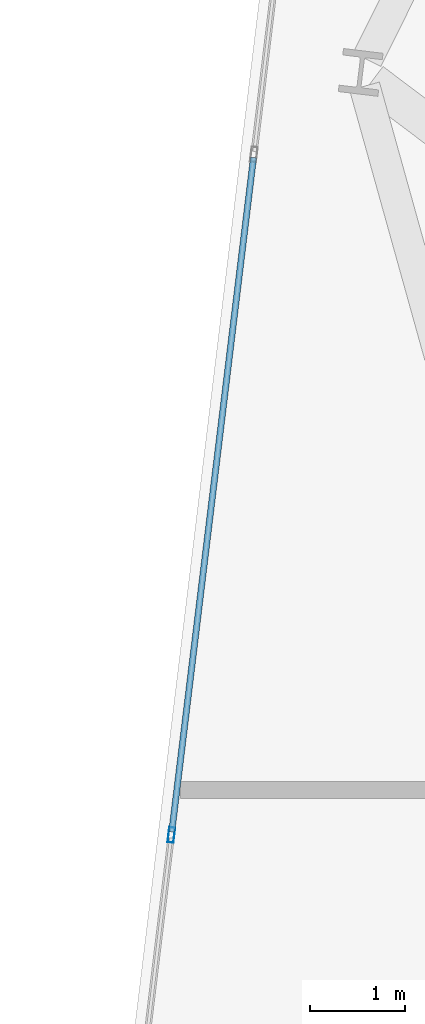
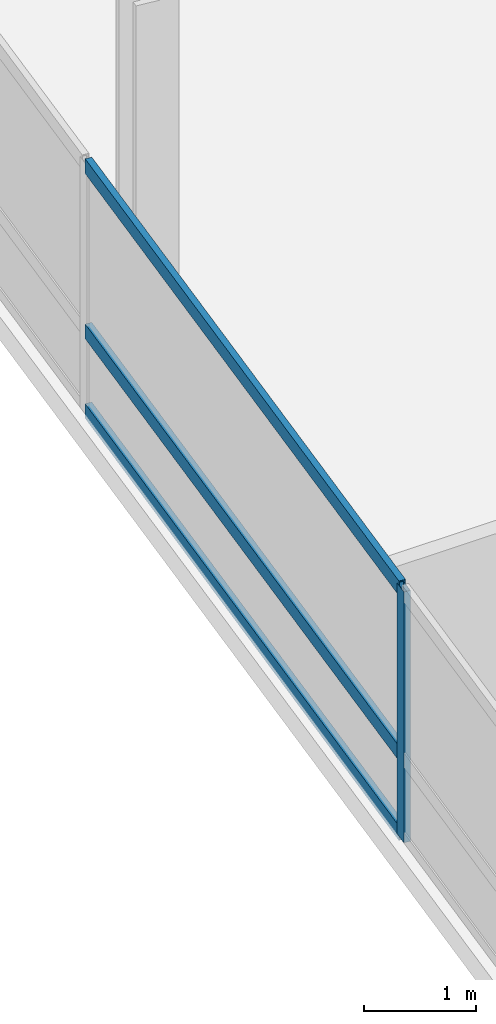
# One storey, part 6 of 26: 4 members, 1 element without a shape of its own.
"""IFC4 building model written with IfcOpenShell, lengths in metres."""

from ifc_helpers import new_model, si_unit, direction, frame, origin, origin_2d, place, context, subcontext, project, spatial, hollow_rectangle, extrude, material, layer, layer_set, material_profile, profile_set, type_object, element, aggregate, save


model = new_model("IFC4")

# Units and contexts
model_context = context("Model", 3, precision=1e-05, world=origin(), true_north=direction((0.0, 1.0)))
body_context = subcontext(model_context, "Body", "Model", "MODEL_VIEW")
ifc_project = project(units=[si_unit("LENGTHUNIT", "METRE"), si_unit("AREAUNIT", "SQUARE_METRE"), si_unit("VOLUMEUNIT", "CUBIC_METRE"), si_unit("PLANEANGLEUNIT", "RADIAN"), si_unit("MASSUNIT", "GRAM", prefix="KILO")], contexts=[model_context])

# Site, building, storey
site_placement = place(None, origin())
site = spatial("IfcSite", under=ifc_project, at=site_placement, CompositionType="ELEMENT")
building_placement = place(site_placement, origin())
building = spatial("IfcBuilding", under=site, at=building_placement, Name="Varnelok Gate Tower", CompositionType="ELEMENT")
storey_placement = place(building_placement, frame((0.0, 0.0, 151.300048828125)))
storey = spatial("IfcBuildingStorey", under=building, at=storey_placement, Name="L38", CompositionType="ELEMENT", Elevation=151.300048828125)

# Curtain wall, members
ifc_material = material(Name="Anodized Aluminum Alloy 6063-T6", Category="aluminium")
ifc_layer = layer(ifc_material, 0.179931640625)
ifc_layer_set = layer_set([ifc_layer], Name="Anodized Aluminum Alloy 6063-T6")
curtain_wall_type = type_object("IfcCurtainWallType", Name="CW3-HOTEL-VISION", PredefinedType="USERDEFINED", material=ifc_layer_set)
curtain_wall_placement = place(storey_placement, origin())
curtain_wall = element("IfcCurtainWall", 1, at=curtain_wall_placement, inside=storey, type_object=curtain_wall_type, Name="L38 West End Vision Curtain Wall", ObjectType="UNITISED CURTAIN WALL", PredefinedType="USERDEFINED")
ifc_material_profile_1 = material_profile(ifc_material, hollow_rectangle(XDim=0.06494140625, YDim=0.159912109375, WallThickness=0.00390625, at=origin_2d()), Name="ALU160X65X4")
ifc_profile_set_1 = profile_set([ifc_material_profile_1], Name="Anodized Aluminum Alloy 6063-T6")
member_type_1 = type_object("IfcMemberType", Name="CW-MULL-160", PredefinedType="MULLION", material=ifc_profile_set_1)
member_1_placement = place(storey_placement, frame((1.97607421875, 26.186279296875, 0.0), z_axis=(0.0, 0.0, 1.0), x_axis=(-0.99273188146, 0.120347046212, 0.0)))
member_1 = element("IfcMember", 2, at=member_1_placement, type_object=member_type_1, Name="CW3 mullion 3", PredefinedType="MULLION", context=body_context, shape_type="SweptSolid", body=[
    extrude(hollow_rectangle(XDim=0.06494140625, YDim=0.159912109375, WallThickness=0.00390625, at=origin_2d()), origin(), (0.0, 0.0, 1.0), 2.72998046875),
])
ifc_material_profile_2 = material_profile(ifc_material, hollow_rectangle(XDim=0.06494140625, YDim=0.159912109375, WallThickness=0.00390625, at=origin_2d()), Name="ALU160X65X4")
ifc_profile_set_2 = profile_set([ifc_material_profile_2], Name="Anodized Aluminum Alloy 6063-T6")
member_type_2 = type_object("IfcMemberType", Name="CW-TRAN-160", PredefinedType="USERDEFINED", material=ifc_profile_set_2)
member_2_placement = place(storey_placement, frame((1.97998046875, 26.218505859375, 0.032470703125), z_axis=(0.120344652138, 0.992732171687, 0.0), x_axis=(-0.992732171687, 0.120344652138, 0.0)))
member_2 = element("IfcMember", 3, at=member_2_placement, type_object=member_type_2, Name="CW3 transom 3.1", ObjectType="TRANSOM", PredefinedType="USERDEFINED", context=body_context, shape_type="SweptSolid", body=[
    extrude(hollow_rectangle(XDim=0.06494140625, YDim=0.159912109375, WallThickness=0.00390625, at=origin_2d()), origin(), (0.0, 0.0, 1.0), 7.134765625),
])
member_3_placement = place(storey_placement, frame((1.97998046875, 26.218505859375, 0.89990234375), z_axis=(0.120344652138, 0.992732171687, 0.0), x_axis=(-0.992732171687, 0.120344652138, 0.0)))
member_3 = element("IfcMember", 4, at=member_3_placement, type_object=member_type_2, Name="CW3 transom 3.2", ObjectType="TRANSOM", PredefinedType="USERDEFINED", context=body_context, shape_type="SweptSolid", body=[
    extrude(hollow_rectangle(XDim=0.06494140625, YDim=0.159912109375, WallThickness=0.00390625, at=origin_2d()), origin(), (0.0, 0.0, 1.0), 7.134765625),
])
member_4_placement = place(storey_placement, frame((1.97998046875, 26.218505859375, 2.697509765625), z_axis=(0.120344652138, 0.992732171687, 0.0), x_axis=(-0.992732171687, 0.120344652138, 0.0)))
member_4 = element("IfcMember", 5, at=member_4_placement, type_object=member_type_2, Name="CW3 transom 3.3", ObjectType="TRANSOM", PredefinedType="USERDEFINED", context=body_context, shape_type="SweptSolid", body=[
    extrude(hollow_rectangle(XDim=0.06494140625, YDim=0.159912109375, WallThickness=0.00390625, at=origin_2d()), origin(), (0.0, 0.0, 1.0), 7.134765625),
])
aggregate(curtain_wall, [member_1, member_2, member_3, member_4])

save(model, "model.ifc")
